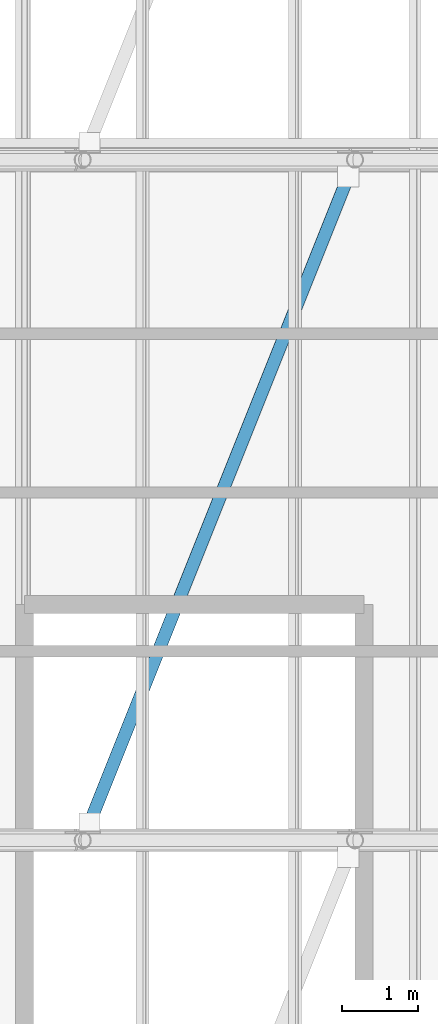
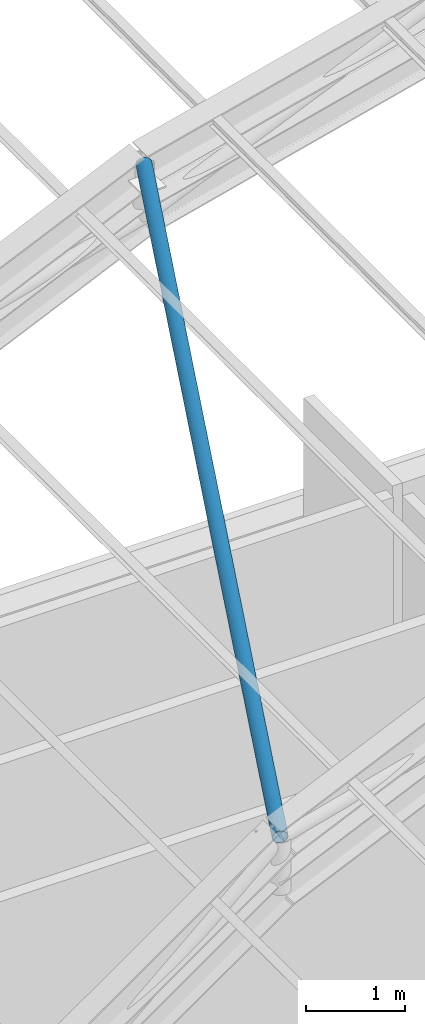
# One storey, part 28 of 121: 1 member.
"""IFC4 building model written with IfcOpenShell, lengths in metres."""

from ifc_helpers import new_model, si_unit, direction, frame, origin, origin_2d, place, context, subcontext, project, spatial, hollow_circle, extrude, material, material_profile, profile_set, type_object, element, save


model = new_model("IFC4")

# Units and contexts
model_context = context("Model", 3, precision=1e-05, world=origin(), true_north=direction((0.0, 1.0)))
body_context = subcontext(model_context, "Body", "Model", "MODEL_VIEW")
ifc_project = project(units=[si_unit("LENGTHUNIT", "METRE"), si_unit("AREAUNIT", "SQUARE_METRE"), si_unit("VOLUMEUNIT", "CUBIC_METRE"), si_unit("PLANEANGLEUNIT", "RADIAN"), si_unit("MASSUNIT", "GRAM", prefix="KILO")], contexts=[model_context])

# Site, building, storey
site_placement = place(None, origin())
site = spatial("IfcSite", under=ifc_project, at=site_placement, CompositionType="ELEMENT")
building_placement = place(site_placement, origin())
building = spatial("IfcBuilding", under=site, at=building_placement, Name="Canglan Escarpment Cableway Terminal", CompositionType="ELEMENT")
storey_placement = place(building_placement, frame((0.0, 0.0, 24.60009765625)))
storey = spatial("IfcBuildingStorey", under=building, at=storey_placement, Name="L05", CompositionType="ELEMENT", Elevation=24.60009765625)

# Member
ifc_material = material(Name="Steel Q355B", Category="steel")
ifc_material_profile = material_profile(ifc_material, hollow_circle(Radius=0.084228515625, WallThickness=0.006103515625, at=origin_2d()), Name="CHS 168.3x6")
ifc_profile_set = profile_set([ifc_material_profile], Name="Steel Q355B")
member_type = type_object("IfcMemberType", Name="MB-ROOF-BR-CHS168", PredefinedType="BRACE", material=ifc_profile_set)
member_placement = place(storey_placement, frame((141.199951171875, 43.0, 5.616455078125), z_axis=(0.366307573698, 0.915744093096, 0.165019748547), x_axis=(-0.928473216852, 0.37139936132, 0.0)))
element("IfcMember", 1, at=member_placement, inside=storey, type_object=member_type, Name="Vault roof plane wind brace BR-03", PredefinedType="BRACE", context=body_context, shape_type="SweptSolid", body=[
    extrude(hollow_circle(Radius=0.084228515625, WallThickness=0.006103515625, at=origin_2d()), origin(), (0.0, 0.0, 1.0), 9.828125),
])

save(model, "model.ifc")
